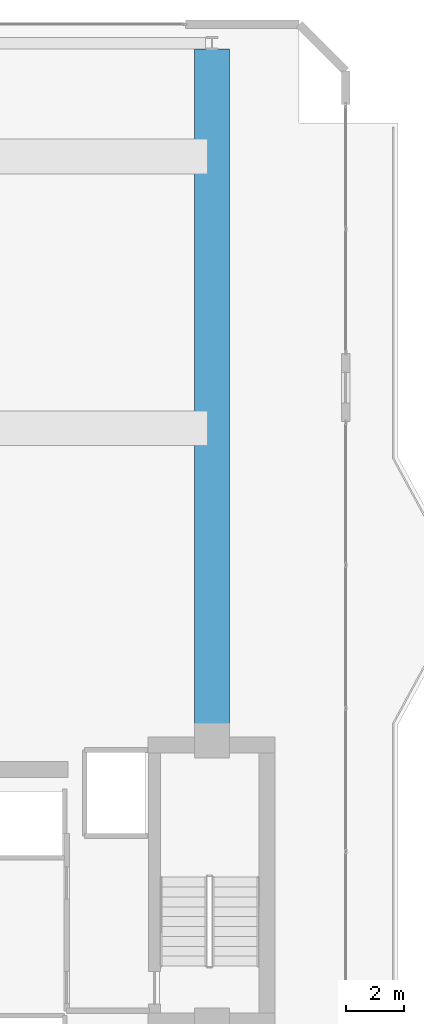
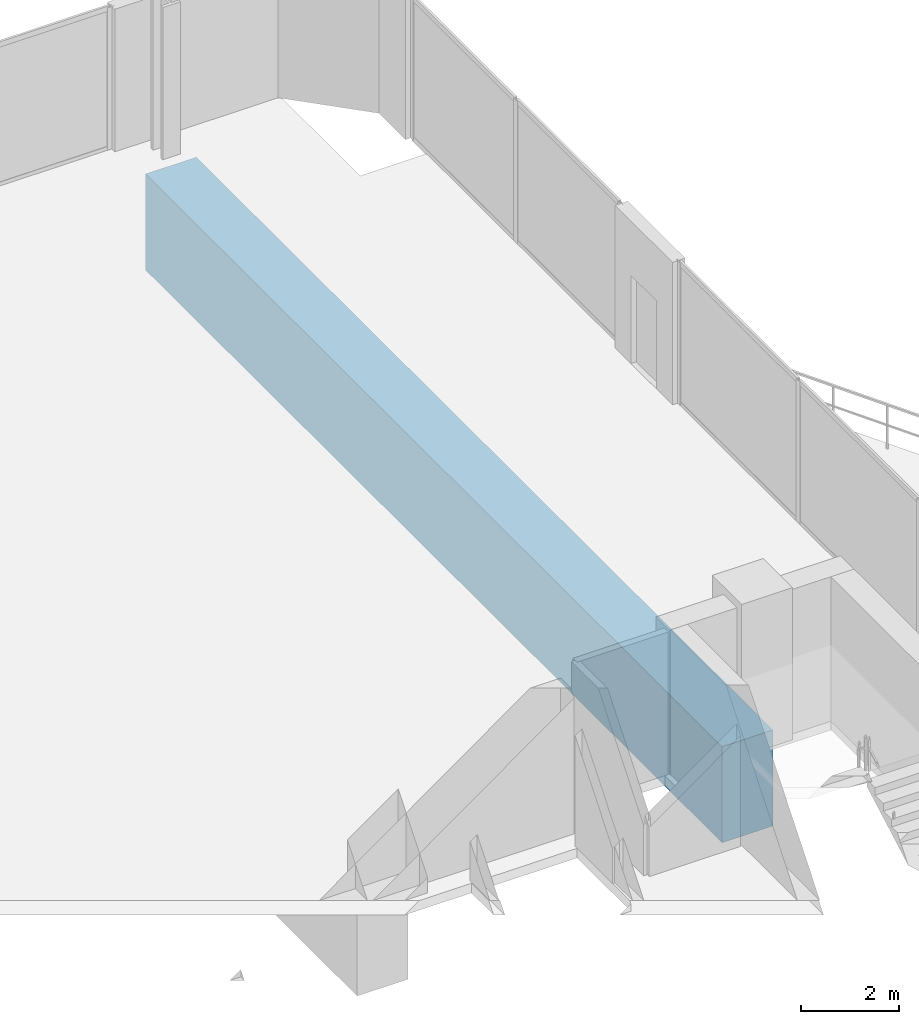
# One storey, part 14 of 27: 1 beam.
"""IFC4 building model written with IfcOpenShell, lengths in metres."""

from ifc_helpers import new_model, si_unit, direction, frame, origin, origin_2d, place, context, subcontext, project, spatial, rectangle, extrude, material, material_profile, profile_set, type_object, element, save


model = new_model("IFC4")

# Units and contexts
model_context = context("Model", 3, precision=1e-05, world=origin(), true_north=direction((0.0, 1.0)))
body_context = subcontext(model_context, "Body", "Model", "MODEL_VIEW")
ifc_project = project(units=[si_unit("LENGTHUNIT", "METRE"), si_unit("AREAUNIT", "SQUARE_METRE"), si_unit("VOLUMEUNIT", "CUBIC_METRE"), si_unit("PLANEANGLEUNIT", "RADIAN"), si_unit("MASSUNIT", "GRAM", prefix="KILO")], contexts=[model_context])

# Site, building, storey
site_placement = place(None, origin())
site = spatial("IfcSite", under=ifc_project, at=site_placement, CompositionType="ELEMENT")
building_placement = place(site_placement, origin())
building = spatial("IfcBuilding", under=site, at=building_placement, Name="Zuhayl Quay Hotel", CompositionType="ELEMENT")
storey_placement = place(building_placement, frame((0.0, 0.0, 297.25)))
storey = spatial("IfcBuildingStorey", under=building, at=storey_placement, Name="Crown 1", CompositionType="ELEMENT", Elevation=297.25)

# Beam
ifc_material = material(Name="Concrete C60/75", Category="concrete")
ifc_material_profile = material_profile(ifc_material, rectangle(XDim=1.199951171875, YDim=2.39990234375, at=origin_2d()), Name="RC1200X2400")
ifc_profile_set = profile_set([ifc_material_profile], Name="Concrete C60/75")
beam_type = type_object("IfcBeamType", Name="BM_TG0_RC2400", PredefinedType="BEAM", material=ifc_profile_set)
beam_placement = place(storey_placement, frame((13.800048828125, 14.550048828125, -1.43994140625), z_axis=(0.0, 1.0, 0.0), x_axis=(-1.0, 0.0, 0.0)))
element("IfcBeam", 1, at=beam_placement, inside=storey, type_object=beam_type, Name="Crown 1 Floor Beam CR_NS_1_4", PredefinedType="BEAM", context=body_context, shape_type="SweptSolid", body=[
    extrude(rectangle(XDim=1.199951171875, YDim=2.39990234375, at=origin_2d()), origin(), (0.0, 0.0, 1.0), 23.599853515625),
])

save(model, "model.ifc")
